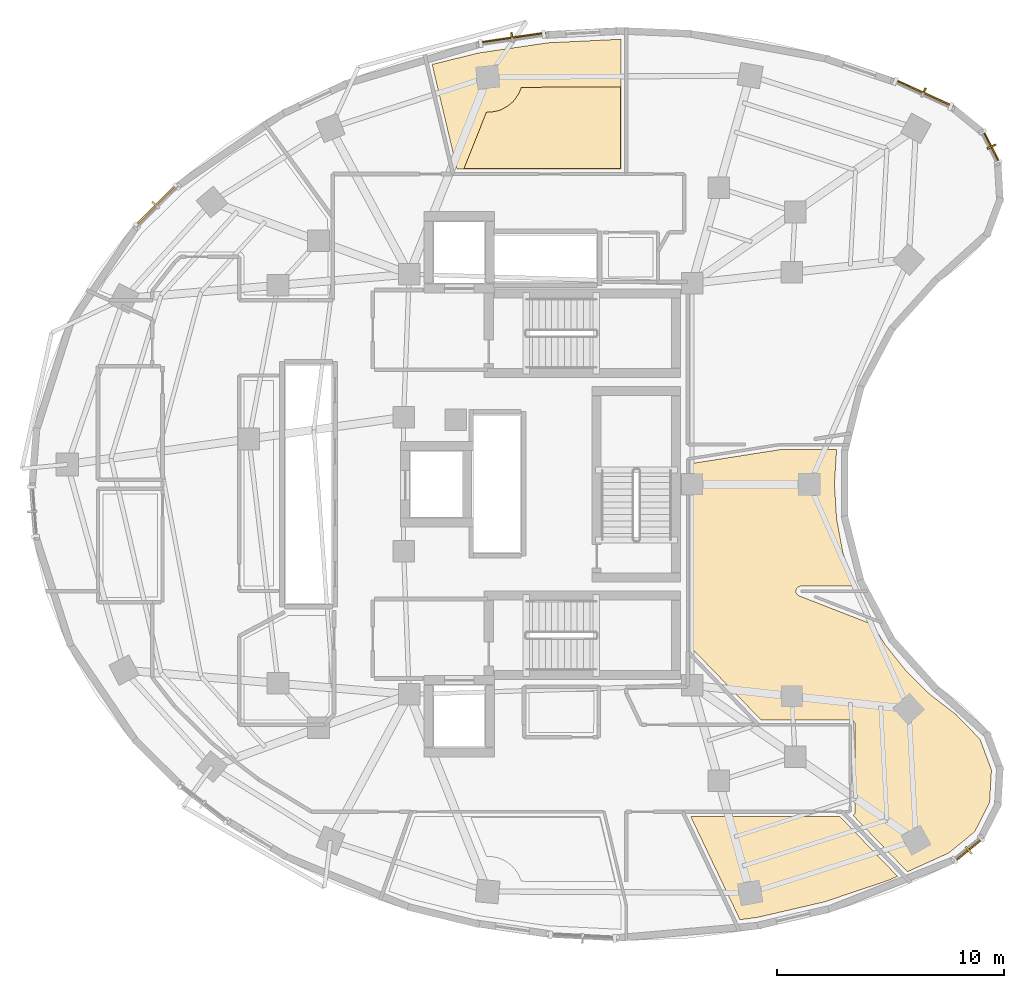
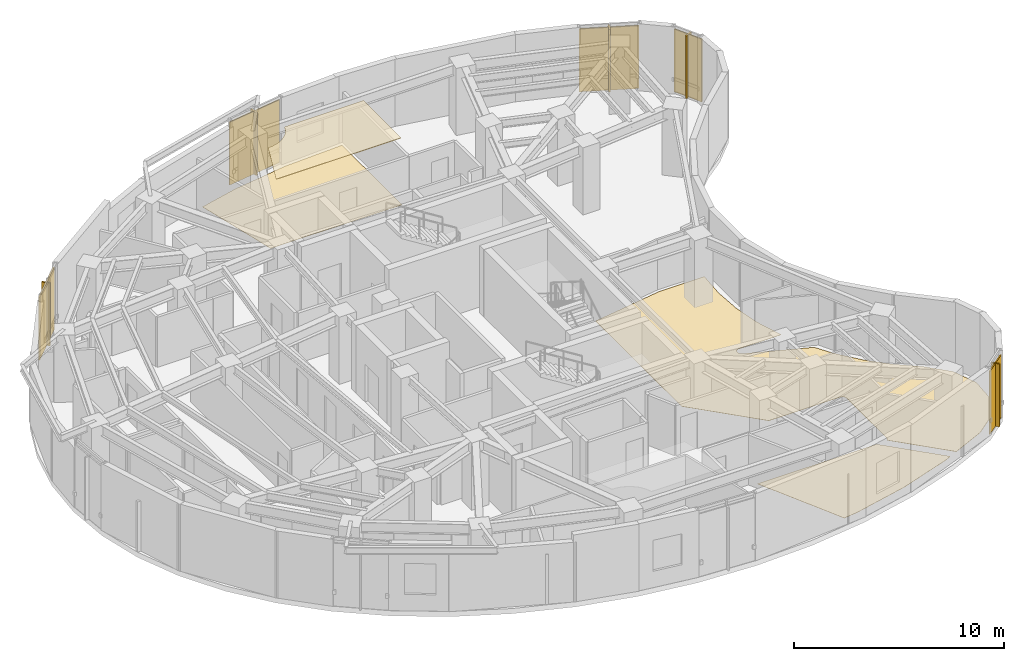
# One storey, part 13 of 13: 10 shading devices, 4 coverings.
"""IFC4 building model written with IfcOpenShell, lengths in metres."""

from ifc_helpers import new_model, si_unit, direction, frame, origin, origin_2d, place, context, subcontext, project, spatial, polyline, rectangle, outline, extrude, material, layer, layer_set, type_object, element, save


model = new_model("IFC4")

# Units and contexts
model_context = context("Model", 3, precision=1e-05, world=origin(), true_north=direction((0.0, 1.0)))
body_context = subcontext(model_context, "Body", "Model", "MODEL_VIEW")
ifc_project = project(units=[si_unit("LENGTHUNIT", "METRE"), si_unit("AREAUNIT", "SQUARE_METRE"), si_unit("VOLUMEUNIT", "CUBIC_METRE"), si_unit("PLANEANGLEUNIT", "RADIAN"), si_unit("MASSUNIT", "GRAM", prefix="KILO")], contexts=[model_context])

# Site, building, storey
site_placement = place(None, origin())
site = spatial("IfcSite", under=ifc_project, at=site_placement, CompositionType="ELEMENT")
building_placement = place(site_placement, origin())
building = spatial("IfcBuilding", under=site, at=building_placement, Name="Korentha Bioscience Tower", CompositionType="ELEMENT")
storey_placement = place(building_placement, frame((0.0, 0.0, 200.39990234375)))
storey = spatial("IfcBuildingStorey", under=building, at=storey_placement, Name="L46", CompositionType="ELEMENT", Elevation=200.39990234375)

# Covering
ifc_material_1 = material(Name="Antimicrobial Mineral Fibre Board", Category="gypsum")
ifc_layer_1 = layer(ifc_material_1, 0.034912109375, Name="Antimicrobial Mineral Fibre Board")
ifc_layer_set_1 = layer_set([ifc_layer_1], Name="Antimicrobial Mineral Fibre Board (CL-MF35)")
covering_type_1 = type_object("IfcCoveringType", Name="Mineral-Fibre Cleanroom Suspended Ceiling 35", PredefinedType="CEILING", material=ifc_layer_set_1)
covering_1_placement = place(storey_placement, frame((0.0, 0.0, 3.864990234375)))
element("IfcCovering", 1, at=covering_1_placement, inside=storey, type_object=covering_type_1, Name="L46 Staff Tea and Espresso Break Lounge 09 Acoustic Ceiling", PredefinedType="CEILING", context=body_context, shape_type="SweptSolid", body=[
    extrude(outline(polyline([(27.515380859375, 40.909912109375), (28.497314453125, 43.376220703125), (28.70556640625, 43.381103515625), (29.003662109375, 43.440185546875), (29.14697265625, 43.491455078125), (29.414794921875, 43.634765625), (29.649658203125, 43.827392578125), (29.751953125, 43.940185546875), (29.920654296875, 44.19287109375), (30.03662109375, 44.47265625), (34.39208984375, 44.49658203125), (34.39208984375, 40.909912109375), (27.515380859375, 40.909912109375)])), origin(), (0.0, 0.0, 1.0), 0.03515625),
])

# Shading devices
ifc_material_2 = material(Name="Perforated Stone-Ceramic Composite", Category="masonry")
ifc_layer_2 = layer(ifc_material_2, 0.06494140625, Name="Perforated Stone-Ceramic Composite")
ifc_layer_set_2 = layer_set([ifc_layer_2], Name="Perforated Stone-Ceramic Composite (CS-01)")
shading_device_type_1 = type_object("IfcShadingDeviceType", Name="Perforated Stone-Ceramic Solar Screen Panel 65", PredefinedType="USERDEFINED", material=ifc_layer_set_2)
shading_device_1_placement = place(storey_placement, frame((47.73828125, 44.22900390625, 0.000244140625), z_axis=(0.0, 0.0, 1.0), x_axis=(-0.910520215031, 0.413464554733, 0.0)))
element("IfcShadingDevice", 2, at=shading_device_1_placement, inside=storey, type_object=shading_device_type_1, Name="CW-L46-01 Perforated Stone-Ceramic Solar Screen", ObjectType="SCREEN", PredefinedType="USERDEFINED", context=body_context, shape_type="SweptSolid", body=[
    extrude(rectangle(XDim=2.87060546875, YDim=0.06494140625, at=origin_2d()), origin(), (0.0, 0.0, 1.0), 3.64990234375),
])
shading_device_2_placement = place(storey_placement, frame((29.627685546875, 46.657470703125, 0.000244140625), z_axis=(0.0, 0.0, 1.0), x_axis=(-0.989449480287, -0.144878314317, 0.0)))
element("IfcShadingDevice", 3, at=shading_device_2_placement, inside=storey, type_object=shading_device_type_1, Name="CW-L46-07 Perforated Stone-Ceramic Solar Screen", ObjectType="SCREEN", PredefinedType="USERDEFINED", context=body_context, shape_type="SweptSolid", body=[
    extrude(rectangle(XDim=3.0185546875, YDim=0.06494140625, at=origin_2d()), origin(), (0.0, 0.0, 1.0), 3.64990234375),
])
shading_device_3_placement = place(storey_placement, frame((13.948486328125, 39.283447265625, 0.000244140625), z_axis=(0.0, 0.0, 1.0), x_axis=(-0.711177694756, -0.703012294688, 0.0)))
element("IfcShadingDevice", 4, at=shading_device_3_placement, inside=storey, type_object=shading_device_type_1, Name="CW-L46-13 Perforated Stone-Ceramic Solar Screen", ObjectType="SCREEN", PredefinedType="USERDEFINED", context=body_context, shape_type="SweptSolid", body=[
    extrude(rectangle(XDim=2.6123046875, YDim=0.06494140625, at=origin_2d()), origin(), (0.0, 0.0, 1.0), 3.64990234375),
])
shading_device_4_placement = place(storey_placement, frame((49.718017578125, 10.90087890625, 0.000244140625), z_axis=(0.0, 0.0, 1.0), x_axis=(0.774088224596, 0.633077736571, 0.0)))
element("IfcShadingDevice", 5, at=shading_device_4_placement, inside=storey, type_object=shading_device_type_1, Name="CW-L46-37 Perforated Stone-Ceramic Solar Screen", ObjectType="SCREEN", PredefinedType="USERDEFINED", context=body_context, shape_type="SweptSolid", body=[
    extrude(rectangle(XDim=1.555419921875, YDim=0.06494140625, at=origin_2d()), origin(), (0.0, 0.0, 1.0), 3.64990234375),
])
shading_device_5_placement = place(storey_placement, frame((50.718994140625, 41.85693359375, 0.000244140625), z_axis=(0.0, 0.0, 1.0), x_axis=(-0.454115695623, 0.89094272262, 0.0)))
element("IfcShadingDevice", 6, at=shading_device_5_placement, inside=storey, type_object=shading_device_type_1, Name="CW-L46-61 Perforated Stone-Ceramic Solar Screen", ObjectType="SCREEN", PredefinedType="USERDEFINED", context=body_context, shape_type="SweptSolid", body=[
    extrude(rectangle(XDim=1.55517578125, YDim=0.06494140625, at=origin_2d()), origin(), (0.0, 0.0, 1.0), 3.64990234375),
])

# Coverings
ifc_material_3 = material(Name="Chemical-Resistant Epoxy Resin", Category="polymer")
ifc_layer_3 = layer(ifc_material_3, 0.011962890625, Name="Chemical-Resistant Epoxy Resin")
ifc_layer_set_3 = layer_set([ifc_layer_3], Name="Chemical-Resistant Epoxy Resin (FL-EPX)")
covering_type_2 = type_object("IfcCoveringType", Name="Seamless Epoxy Laboratory Flooring 12", PredefinedType="FLOORING", material=ifc_layer_set_3)
covering_2_placement = place(storey_placement, origin())
element("IfcCovering", 7, at=covering_2_placement, inside=storey, type_object=covering_type_2, Name="L46 Solvent and Chemical Weighing Room 05 Floor Finish", PredefinedType="FLOORING", context=body_context, shape_type="SweptSolid", body=[
    extrude(outline(polyline([(37.4921875, 12.3701171875), (44.06298828125, 12.3701171875), (46.59423828125, 9.74560546875), (46.223388671875, 9.5771484375), (43.39453125, 8.623291015625), (40.434814453125, 7.93701171875), (39.65625, 7.832763671875), (37.4921875, 12.3701171875)])), origin(), (0.0, 0.0, 1.0), 0.01220703125),
])
covering_3_placement = place(storey_placement, origin())
element("IfcCovering", 8, at=covering_3_placement, inside=storey, type_object=covering_type_2, Name="L46 Postdoctoral Fellows' Quiet Study 07 Floor Finish", PredefinedType="FLOORING", context=body_context, shape_type="SweptSolid", body=[
    extrude(outline(polyline([(37.587158203125, 19.732666015625), (37.580078125, 27.923828125), (41.4306640625, 28.528076171875), (43.912353515625, 28.528076171875), (43.81640625, 27.017578125), (43.91015625, 25.486572265625), (44.185546875, 24.01220703125), (44.666015625, 22.522216796875), (42.310791015625, 22.51953125), (42.227783203125, 22.489501953125), (42.15087890625, 22.411865234375), (42.121826171875, 22.328125), (42.134033203125, 22.219482421875), (42.1806640625, 22.14453125), (42.262451171875, 22.08935546875), (45.501953125, 20.827880859375), (46.046630859375, 19.944091796875), (46.986083984375, 18.767578125), (48.025390625, 17.746337890625), (49.172607421875, 16.863037109375), (50.22509765625, 15.778564453125), (50.72802734375, 14.427978515625), (50.6455078125, 12.989501953125), (49.9912109375, 11.70556640625), (48.843994140625, 10.767333984375), (47.02880859375, 9.943115234375), (44.64111328125, 12.418701171875), (44.707763671875, 12.501220703125), (44.72998046875, 12.60009765625), (44.72998046875, 16.39990234375), (44.71630859375, 16.477783203125), (44.670166015625, 16.5546875), (44.597900390625, 16.608154296875), (44.5, 16.6298828125), (40.57958984375, 16.6298828125), (37.587158203125, 19.732666015625)])), origin(), (0.0, 0.0, 1.0), 0.01220703125),
])
covering_4_placement = place(storey_placement, origin())
element("IfcCovering", 9, at=covering_4_placement, inside=storey, type_object=covering_type_2, Name="L46 Staff Tea and Espresso Break Lounge 09 Floor Finish", PredefinedType="FLOORING", context=body_context, shape_type="SweptSolid", body=[
    extrude(outline(polyline([(28.174072265625, 45.98974609375), (31.212158203125, 46.4345703125), (34.422119140625, 46.591064453125), (34.422119140625, 40.8798828125), (27.19921875, 40.8798828125), (26.107666015625, 45.4833984375), (28.174072265625, 45.98974609375)])), origin(), (0.0, 0.0, 1.0), 0.01220703125),
])

# Shading devices
ifc_material_4 = material(Name="Honed Travertine Limestone", Category="masonry")
ifc_layer_4 = layer(ifc_material_4, 0.080078125, Name="Honed Travertine Limestone")
ifc_layer_set_4 = layer_set([ifc_layer_4], Name="Honed Travertine Limestone (CS-02)")
shading_device_type_2 = type_object("IfcShadingDeviceType", Name="Vertical Honed Limestone Sunshade Fin 80x420", PredefinedType="USERDEFINED", material=ifc_layer_set_4)
for number, where, z_axis, x_axis, name in (
    (10, (47.74658203125, 44.247314453125, 0.000244140625), (0.0, 0.0, 1.0), (-0.910520215031, 0.413464554733, 0.0), "CW-L46-01 Limestone Sunshade Fin"),
    (11, (29.625, 46.67724609375, 0.000244140625), (0.0, 0.0, 1.0), (-0.989449480287, -0.144878314317, 0.0), "CW-L46-07 Limestone Sunshade Fin"),
    (12, (13.934326171875, 39.297607421875, 0.000244140625), (0.0, 0.0, 1.0), (-0.711177694756, -0.703012294688, 0.0), "CW-L46-13 Limestone Sunshade Fin"),
    (13, (49.730712890625, 10.88525390625, 0.000244140625), (0.0, 0.0, 1.0), (0.774088224596, 0.633077736571, 0.0), "CW-L46-37 Limestone Sunshade Fin"),
    (14, (50.73681640625, 41.865966796875, 0.000244140625), (0.0, 0.0, 1.0), (-0.454115695623, 0.89094272262, 0.0), "CW-L46-61 Limestone Sunshade Fin"),
):
    element("IfcShadingDevice", number, at=place(storey_placement, frame(where, z_axis=z_axis, x_axis=x_axis)), inside=storey, type_object=shading_device_type_2, Name=name, ObjectType="SCREEN", PredefinedType="USERDEFINED", context=body_context, shape_type="SweptSolid", body=[
        extrude(rectangle(XDim=0.080078125, YDim=0.419921875, at=origin_2d()), origin(), (0.0, 0.0, 1.0), 3.64990234375),
    ])

save(model, "model.ifc")
